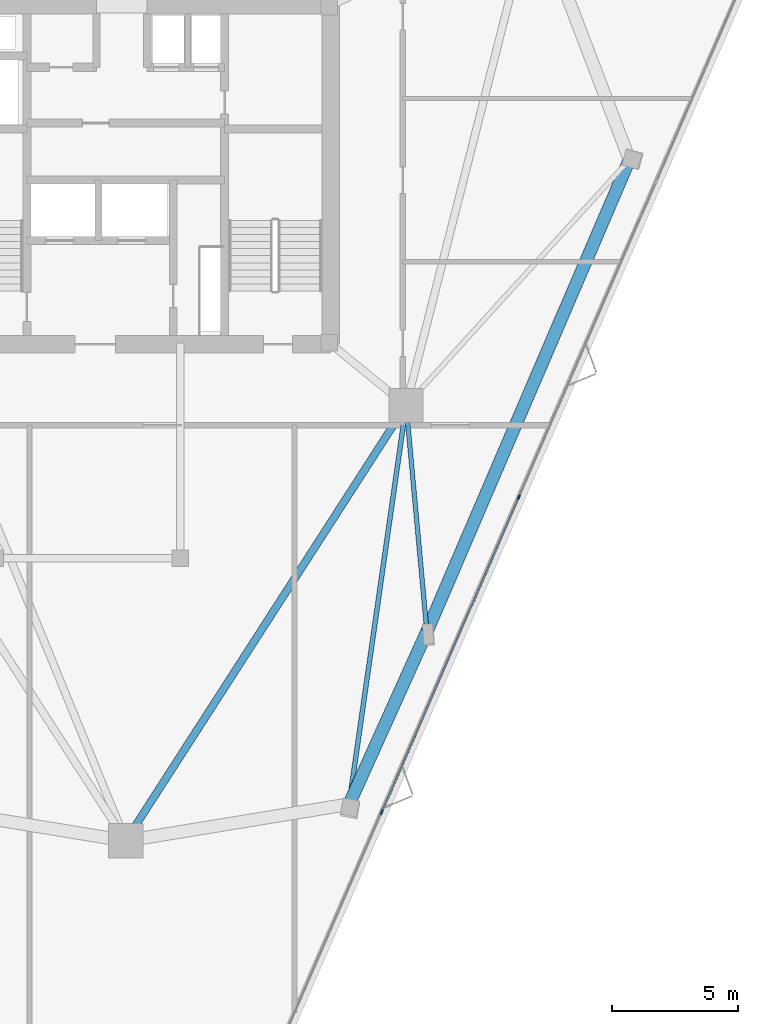
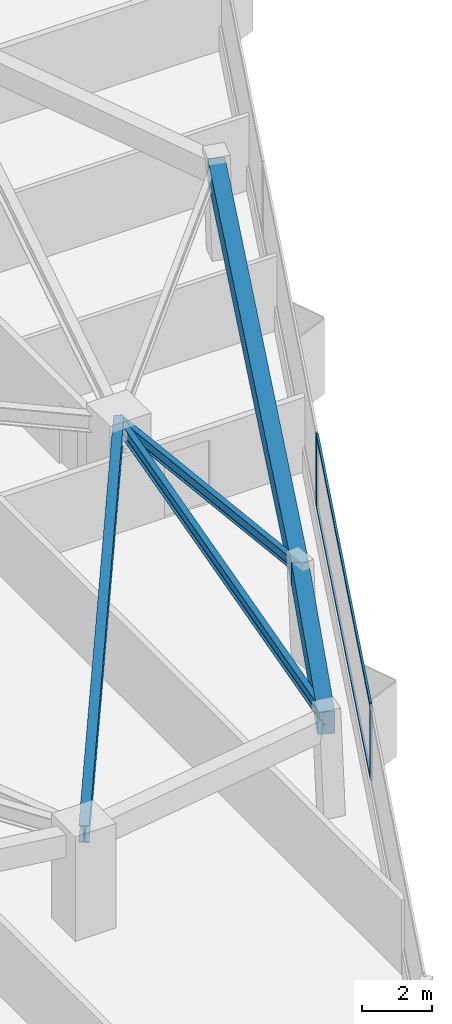
# One storey, part 4 of 12: 5 beams, 4 members, 1 element without a shape of its own.
"""IFC4 building model written with IfcOpenShell, lengths in metres."""

from ifc_helpers import new_model, si_unit, direction, frame, origin, origin_2d, place, context, subcontext, project, spatial, rectangle, i_section, extrude, material, layer, layer_set, material_profile, profile_set, type_object, element, aggregate, save


model = new_model("IFC4")

# Units and contexts
model_context = context("Model", 3, precision=1e-05, world=origin(), true_north=direction((0.0, 1.0)))
body_context = subcontext(model_context, "Body", "Model", "MODEL_VIEW")
ifc_project = project(units=[si_unit("LENGTHUNIT", "METRE"), si_unit("AREAUNIT", "SQUARE_METRE"), si_unit("VOLUMEUNIT", "CUBIC_METRE"), si_unit("PLANEANGLEUNIT", "RADIAN"), si_unit("MASSUNIT", "GRAM", prefix="KILO")], contexts=[model_context])

# Site, building, storey
site_placement = place(None, origin())
site = spatial("IfcSite", under=ifc_project, at=site_placement, CompositionType="ELEMENT")
building_placement = place(site_placement, origin())
building = spatial("IfcBuilding", under=site, at=building_placement, Name="Talyreon Biosciences Tower", CompositionType="ELEMENT")
storey_placement = place(building_placement, frame((0.0, 0.0, 186.699951171875)))
storey = spatial("IfcBuildingStorey", under=building, at=storey_placement, Name="L49", CompositionType="ELEMENT", Elevation=186.699951171875)

# Curtain wall, members
ifc_material_1 = material(Name="Thermally broken aluminium and low-E glazing", Category="aluminium")
ifc_layer = layer(ifc_material_1, 0.179931640625)
ifc_layer_set = layer_set([ifc_layer], Name="Thermally broken aluminium and low-E glazing")
curtain_wall_type = type_object("IfcCurtainWallType", Name="CurtainWall_Zone4Optical", PredefinedType="NOTDEFINED", material=ifc_layer_set)
curtain_wall_placement = place(storey_placement, origin())
curtain_wall = element("IfcCurtainWall", 1, at=curtain_wall_placement, inside=storey, type_object=curtain_wall_type, Name="L49 Unitised Curtain Wall FCW-L49-08", PredefinedType="NOTDEFINED")
ifc_material_2 = material(Name="Anodised thermally broken aluminium", Category="aluminium")
ifc_material_profile_1 = material_profile(ifc_material_2, rectangle(XDim=0.06494140625, YDim=0.179931640625, at=origin_2d()), Name="ALUM MULLION 65x180")
ifc_profile_set_1 = profile_set([ifc_material_profile_1], Name="Anodised thermally broken aluminium")
member_type_1 = type_object("IfcMemberType", Name="CWMullion_65x180", PredefinedType="MULLION", material=ifc_profile_set_1)
member_1_placement = place(storey_placement, frame((81.54248046875, 55.251953125, 0.81005859375), z_axis=(0.0, 0.0, 1.0), x_axis=(0.916912184291, -0.399089020519, 0.0)))
member_1 = element("IfcMember", 2, at=member_1_placement, type_object=member_type_1, Name="CW5 mullion 3", PredefinedType="MULLION", context=body_context, shape_type="SweptSolid", body=[
    extrude(rectangle(XDim=0.06494140625, YDim=0.179931640625, at=origin_2d()), origin(), (0.0, 0.0, 1.0), 2.590087890625),
])
member_2_placement = place(storey_placement, frame((76.11865234375, 42.7900390625, 0.81005859375), z_axis=(0.0, 0.0, 1.0), x_axis=(0.916912184291, -0.399089020519, 0.0)))
member_2 = element("IfcMember", 3, at=member_2_placement, type_object=member_type_1, Name="CW5 mullion 4", PredefinedType="MULLION", context=body_context, shape_type="SweptSolid", body=[
    extrude(rectangle(XDim=0.06494140625, YDim=0.179931640625, at=origin_2d()), origin(), (0.0, 0.0, 1.0), 2.590087890625),
])
ifc_material_profile_2 = material_profile(ifc_material_2, rectangle(XDim=0.06494140625, YDim=0.139892578125, at=origin_2d()), Name="ALUM TRANSOM 65x140")
ifc_profile_set_2 = profile_set([ifc_material_profile_2], Name="Anodised thermally broken aluminium")
member_type_2 = type_object("IfcMemberType", Name="CWTransom_65x140", PredefinedType="USERDEFINED", material=ifc_profile_set_2)
member_3_placement = place(storey_placement, frame((81.529541015625, 55.22216796875, 0.842529296875), z_axis=(-0.399075882405, -0.916917902586, 0.0), x_axis=(0.916917902586, -0.399075882405, 0.0)))
member_3 = element("IfcMember", 4, at=member_3_placement, type_object=member_type_2, Name="CW5 transom 3.1", ObjectType="TRANSOM", PredefinedType="USERDEFINED", context=body_context, shape_type="SweptSolid", body=[
    extrude(rectangle(XDim=0.06494140625, YDim=0.139892578125, at=origin_2d()), origin(), (0.0, 0.0, 1.0), 13.526123046875),
])
member_4_placement = place(storey_placement, frame((81.529541015625, 55.22216796875, 3.367431640625), z_axis=(-0.399075882405, -0.916917902586, 0.0), x_axis=(0.916917902586, -0.399075882405, 0.0)))
member_4 = element("IfcMember", 5, at=member_4_placement, type_object=member_type_2, Name="CW5 transom 3.2", ObjectType="TRANSOM", PredefinedType="USERDEFINED", context=body_context, shape_type="SweptSolid", body=[
    extrude(rectangle(XDim=0.06494140625, YDim=0.139892578125, at=origin_2d()), origin(), (0.0, 0.0, 1.0), 13.526123046875),
])
aggregate(curtain_wall, [member_1, member_2, member_3, member_4])

# Beams
ifc_material_3 = material(Name="Precast concrete C45/55", Category="concrete")
ifc_material_profile_3 = material_profile(ifc_material_3, rectangle(XDim=0.5, YDim=0.780029296875, at=origin_2d()), Name="RCB 500x780")
ifc_profile_set_3 = profile_set([ifc_material_profile_3], Name="Precast concrete C45/55")
beam_type_1 = type_object("IfcBeamType", Name="ExpressedSpandrel_500x780", PredefinedType="SPANDREL", material=ifc_profile_set_3)
beam_1_placement = place(storey_placement, frame((74.830322265625, 43.1162109375, 3.010009765625), z_axis=(0.411160918244, 0.911562778589, 0.0), x_axis=(-0.911562778589, 0.411160918244, 0.0)))
element("IfcBeam", 6, at=beam_1_placement, inside=storey, type_object=beam_type_1, Name="L49 Expressed Horizontal Concrete Spandrel 02", PredefinedType="SPANDREL", context=body_context, shape_type="SweptSolid", body=[
    extrude(rectangle(XDim=0.5, YDim=0.780029296875, at=origin_2d()), origin(), (0.0, 0.0, 1.0), 7.482177734375),
])
beam_2_placement = place(storey_placement, frame((77.90673828125, 49.936767578125, 3.010009765625), z_axis=(0.394424171327, 0.918928491817, 0.0), x_axis=(-0.918928491817, 0.394424171327, 0.0)))
element("IfcBeam", 7, at=beam_2_placement, inside=storey, type_object=beam_type_1, Name="L49 Expressed Horizontal Concrete Spandrel 03", PredefinedType="SPANDREL", context=body_context, shape_type="SweptSolid", body=[
    extrude(rectangle(XDim=0.5, YDim=0.780029296875, at=origin_2d()), origin(), (0.0, 0.0, 1.0), 20.307373046875),
])
ifc_material_4 = material(Name="Steel SM355", Category="steel")
ifc_material_profile_4 = material_profile(ifc_material_4, i_section(OverallWidth=0.300048828125, OverallDepth=0.60009765625, WebThickness=0.015380859375, FlangeThickness=0.030029296875, FilletRadius=0.027099609375, at=origin_2d()), Name="HE600B")
ifc_profile_set_4 = profile_set([ifc_material_profile_4], Name="Steel SM355")
beam_type_2 = type_object("IfcBeamType", Name="SteelBeam_HE600B", PredefinedType="BEAM", material=ifc_profile_set_4)
beam_3_placement = place(storey_placement, frame((66.0, 41.6669921875, 3.10009765625), z_axis=(0.541463723609, 0.840724114092, 0.0), x_axis=(-0.840724114092, 0.541463723609, 0.0)))
element("IfcBeam", 8, at=beam_3_placement, inside=storey, type_object=beam_type_2, Name="L49 Mega-Ring Girder 1", PredefinedType="BEAM", context=body_context, shape_type="SweptSolid", body=[
    extrude(i_section(OverallWidth=0.300048828125, OverallDepth=0.60009765625, WebThickness=0.015380859375, FlangeThickness=0.030029296875, FilletRadius=0.027099609375, at=origin_2d()), origin(), (0.0, 0.0, 1.0), 20.474365234375),
])
ifc_material_profile_5 = material_profile(ifc_material_4, i_section(OverallWidth=0.179931640625, OverallDepth=0.39990234375, WebThickness=0.008544921875, FlangeThickness=0.013427734375, FilletRadius=0.02099609375, at=origin_2d()), Name="IPE400")
ifc_profile_set_5 = profile_set([ifc_material_profile_5], Name="Steel SM355")
beam_type_3 = type_object("IfcBeamType", Name="SteelJoist_IPE400", PredefinedType="JOIST", material=ifc_profile_set_5)
beam_4_placement = place(storey_placement, frame((77.086181640625, 58.88037109375, 3.199951171875), z_axis=(0.091364146677, -0.995817549907, 0.0), x_axis=(0.995817549907, 0.091364146677, 0.0)))
element("IfcBeam", 9, at=beam_4_placement, inside=storey, type_object=beam_type_3, Name="L49 Radial Composite Floor Joist PL-SE", PredefinedType="JOIST", context=body_context, shape_type="SweptSolid", body=[
    extrude(i_section(OverallWidth=0.179931640625, OverallDepth=0.39990234375, WebThickness=0.008544921875, FlangeThickness=0.013427734375, FilletRadius=0.02099609375, at=origin_2d()), origin(), (0.0, 0.0, 1.0), 8.981201171875),
])
ifc_material_profile_6 = material_profile(ifc_material_4, i_section(OverallWidth=0.18994140625, OverallDepth=0.449951171875, WebThickness=0.009521484375, FlangeThickness=0.0146484375, FilletRadius=0.02099609375, at=origin_2d()), Name="IPE450")
ifc_profile_set_6 = profile_set([ifc_material_profile_6], Name="Steel SM355")
beam_type_4 = type_object("IfcBeamType", Name="SteelJoist_IPE450", PredefinedType="JOIST", material=ifc_profile_set_6)
beam_5_placement = place(storey_placement, frame((77.086181640625, 58.88037109375, 3.175048828125), z_axis=(-0.141657447962, -0.989915737544, 0.0), x_axis=(0.989915737544, -0.141657447962, 0.0)))
element("IfcBeam", 10, at=beam_5_placement, inside=storey, type_object=beam_type_4, Name="L49 Radial Composite Floor Joist PC-SE1", PredefinedType="JOIST", context=body_context, shape_type="SweptSolid", body=[
    extrude(i_section(OverallWidth=0.18994140625, OverallDepth=0.449951171875, WebThickness=0.009521484375, FlangeThickness=0.0146484375, FilletRadius=0.02099609375, at=origin_2d()), origin(), (0.0, 0.0, 1.0), 15.9248046875),
])

save(model, "model.ifc")
